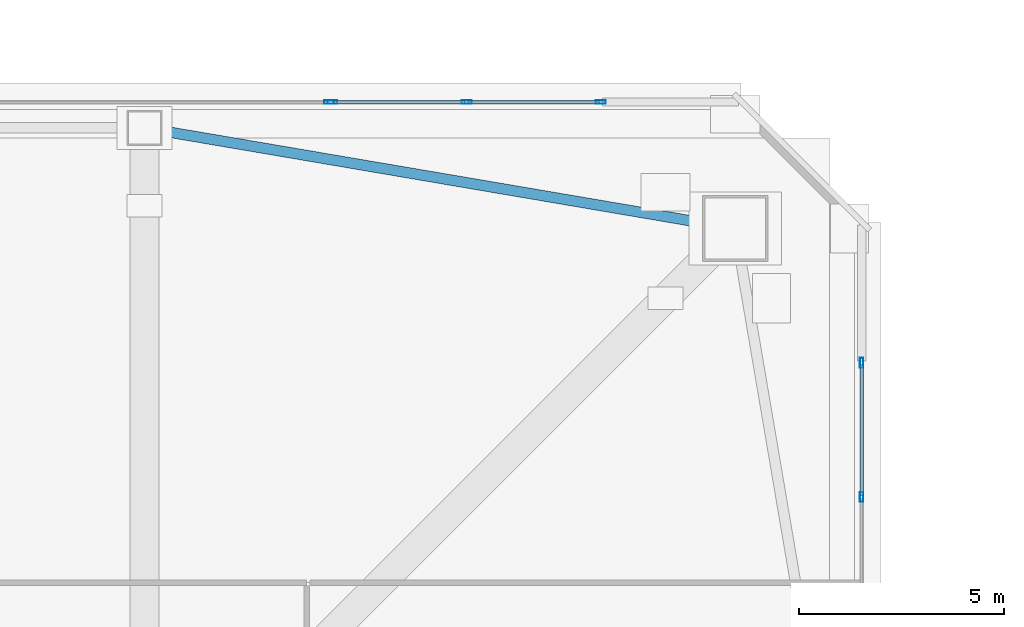
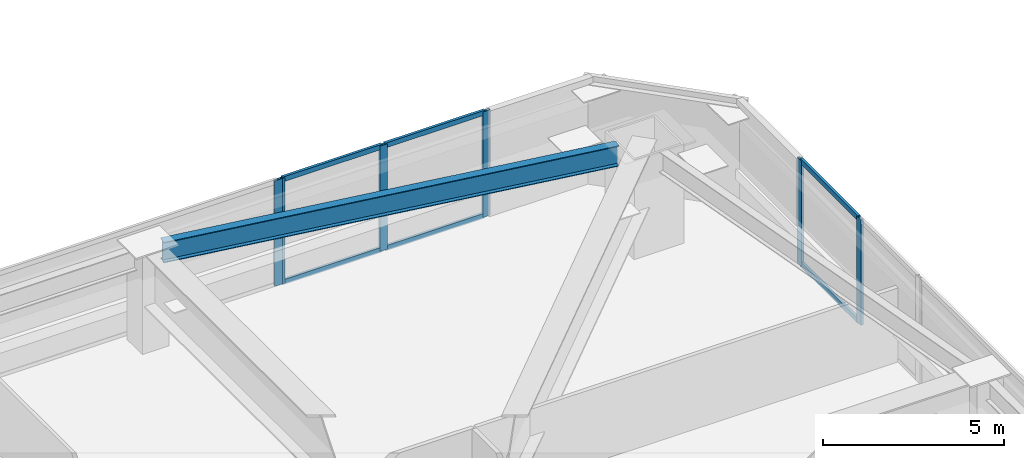
# One storey, part 19 of 48: 12 members, 1 beam, 3 elements without a shape of their own.
"""IFC4 building model written with IfcOpenShell, lengths in metres."""

from ifc_helpers import new_model, si_unit, direction, frame, origin, origin_2d, place, context, subcontext, project, spatial, hollow_rectangle, i_section, extrude, material, material_profile, profile_set, type_object, element, aggregate, save


model = new_model("IFC4")

# Units and contexts
model_context = context("Model", 3, precision=1e-05, world=origin(), true_north=direction((0.0, 1.0)))
body_context = subcontext(model_context, "Body", "Model", "MODEL_VIEW")
ifc_project = project(units=[si_unit("LENGTHUNIT", "METRE"), si_unit("AREAUNIT", "SQUARE_METRE"), si_unit("VOLUMEUNIT", "CUBIC_METRE"), si_unit("PLANEANGLEUNIT", "RADIAN"), si_unit("MASSUNIT", "GRAM", prefix="KILO")], contexts=[model_context])

# Site, building, storey
site_placement = place(None, origin())
site = spatial("IfcSite", under=ifc_project, at=site_placement, CompositionType="ELEMENT")
building_placement = place(site_placement, origin())
building = spatial("IfcBuilding", under=site, at=building_placement, Name="Tashvorn Skyway Center", CompositionType="ELEMENT")
storey_placement = place(building_placement, frame((0.0, 0.0, 63.64990234375)))
storey = spatial("IfcBuildingStorey", under=building, at=storey_placement, Name="L16", CompositionType="ELEMENT", Elevation=63.64990234375)

# Beam
ifc_material_1 = material(Name="Steel ASTM A992 Grade 50", Category="steel")
ifc_material_profile_1 = material_profile(ifc_material_1, i_section(OverallWidth=0.256103515625, OverallDepth=0.693115234375, WebThickness=0.014404296875, FlangeThickness=0.023681640625, at=origin_2d()), Name="W27X114")
ifc_profile_set_1 = profile_set([ifc_material_profile_1], Name="Steel ASTM A992 Grade 50")
beam_type = type_object("IfcBeamType", Name="BM-SPANDREL-W27X114", PredefinedType="SPANDREL", material=ifc_profile_set_1)
beam_placement = place(storey_placement, frame((61.016357421875, 51.933349609375, 3.003662109375), z_axis=(-0.985835025551, 0.16771792509, 0.0), x_axis=(-0.16771792509, -0.985835025551, 0.0)))
element("IfcBeam", 1, at=beam_placement, inside=storey, type_object=beam_type, Name="Tower 1 L16 Spandrel Beam 07", PredefinedType="SPANDREL", context=body_context, shape_type="SweptSolid", body=[
    extrude(i_section(OverallWidth=0.256103515625, OverallDepth=0.693115234375, WebThickness=0.014404296875, FlangeThickness=0.023681640625, at=origin_2d()), origin(), (0.0, 0.0, 1.0), 13.39208984375),
])

# Curtain wall, member
ifc_material_2 = material(Name="Thermally broken bronze-anodized aluminium 6063-T6", Category="aluminium")
curtain_wall_type = type_object("IfcCurtainWallType", Name="CW-CW-Z1", PredefinedType="NOTDEFINED", material=ifc_material_2)
curtain_wall_1_placement = place(storey_placement, origin())
curtain_wall_1 = element("IfcCurtainWall", 2, at=curtain_wall_1_placement, inside=storey, type_object=curtain_wall_type, Name="Tower 1 L16 North Unitised Curtain Wall Glazing Group 2", PredefinedType="NOTDEFINED")
ifc_material_profile_2 = material_profile(ifc_material_2, hollow_rectangle(XDim=0.0849609375, YDim=0.239990234375, WallThickness=0.0048828125, at=origin_2d()), Name="ALU-MULL-85x240")
ifc_profile_set_2 = profile_set([ifc_material_profile_2], Name="Thermally broken bronze-anodized aluminium 6063-T6")
member_type_1 = type_object("IfcMemberType", Name="CWM-CW-Z1", PredefinedType="MULLION", material=ifc_profile_set_2)
member_1_placement = place(storey_placement, frame((51.8974609375, 54.8798828125, 0.0), z_axis=(0.0, 0.0, 1.0), x_axis=(0.0, 1.0, 0.0)))
member_1 = element("IfcMember", 3, at=member_1_placement, type_object=member_type_1, Name="CW-Z1 mullion 3", PredefinedType="MULLION", context=body_context, shape_type="SweptSolid", body=[
    extrude(hollow_rectangle(XDim=0.0849609375, YDim=0.239990234375, WallThickness=0.0048828125, at=origin_2d()), origin(), (0.0, 0.0, 1.0), 3.550048828125),
])
aggregate(curtain_wall_1, [member_1])

# Curtain wall, members
curtain_wall_2_placement = place(storey_placement, origin())
curtain_wall_2 = element("IfcCurtainWall", 4, at=curtain_wall_2_placement, inside=storey, type_object=curtain_wall_type, Name="Tower 1 L16 North Unitised Curtain Wall Glazing Group 3", PredefinedType="NOTDEFINED")
member_2_placement = place(storey_placement, frame((51.982421875, 54.8798828125, 0.0), z_axis=(0.0, 0.0, 1.0), x_axis=(0.0, 1.0, 0.0)))
member_2 = element("IfcMember", 5, at=member_2_placement, type_object=member_type_1, Name="CW-Z1 mullion 1", PredefinedType="MULLION", context=body_context, shape_type="SweptSolid", body=[
    extrude(hollow_rectangle(XDim=0.0849609375, YDim=0.239990234375, WallThickness=0.0048828125, at=origin_2d()), origin(), (0.0, 0.0, 1.0), 3.550048828125),
])
member_3_placement = place(storey_placement, frame((55.25341796875, 54.8798828125, 0.0), z_axis=(0.0, 0.0, 1.0), x_axis=(0.0, 1.0, 0.0)))
member_3 = element("IfcMember", 6, at=member_3_placement, type_object=member_type_1, Name="CW-Z1 mullion 2", PredefinedType="MULLION", context=body_context, shape_type="SweptSolid", body=[
    extrude(hollow_rectangle(XDim=0.0849609375, YDim=0.239990234375, WallThickness=0.0048828125, at=origin_2d()), origin(), (0.0, 0.0, 1.0), 3.550048828125),
])
member_4_placement = place(storey_placement, frame((58.524169921875, 54.8798828125, 0.0), z_axis=(0.0, 0.0, 1.0), x_axis=(0.0, 1.0, 0.0)))
member_4 = element("IfcMember", 7, at=member_4_placement, type_object=member_type_1, Name="CW-Z1 mullion 3", PredefinedType="MULLION", context=body_context, shape_type="SweptSolid", body=[
    extrude(hollow_rectangle(XDim=0.0849609375, YDim=0.239990234375, WallThickness=0.0048828125, at=origin_2d()), origin(), (0.0, 0.0, 1.0), 3.550048828125),
])

curtain_wall_3_placement = place(storey_placement, origin())
curtain_wall_3 = element("IfcCurtainWall", 8, at=curtain_wall_3_placement, inside=storey, type_object=curtain_wall_type, Name="Tower 1 L16 East Unitised Curtain Wall Glazing Group 1", PredefinedType="NOTDEFINED")
member_5_placement = place(storey_placement, frame((64.8798828125, 48.524169921875, 0.0), z_axis=(0.0, 0.0, 1.0), x_axis=(1.0, 0.0, 0.0)))
member_5 = element("IfcMember", 9, at=member_5_placement, type_object=member_type_1, Name="CW-Z1 mullion 1", PredefinedType="MULLION", context=body_context, shape_type="SweptSolid", body=[
    extrude(hollow_rectangle(XDim=0.0849609375, YDim=0.239990234375, WallThickness=0.0048828125, at=origin_2d()), origin(), (0.0, 0.0, 1.0), 3.550048828125),
])
member_6_placement = place(storey_placement, frame((64.8798828125, 45.25341796875, 0.0), z_axis=(0.0, 0.0, 1.0), x_axis=(1.0, 0.0, 0.0)))
member_6 = element("IfcMember", 10, at=member_6_placement, type_object=member_type_1, Name="CW-Z1 mullion 2", PredefinedType="MULLION", context=body_context, shape_type="SweptSolid", body=[
    extrude(hollow_rectangle(XDim=0.0849609375, YDim=0.239990234375, WallThickness=0.0048828125, at=origin_2d()), origin(), (0.0, 0.0, 1.0), 3.550048828125),
])

# Member
ifc_material_profile_3 = material_profile(ifc_material_2, hollow_rectangle(XDim=0.0849609375, YDim=0.1650390625, WallThickness=0.0048828125, at=origin_2d()), Name="ALU-TRAN-85x165")
ifc_profile_set_3 = profile_set([ifc_material_profile_3], Name="Thermally broken bronze-anodized aluminium 6063-T6")
member_type_2 = type_object("IfcMemberType", Name="CWT-CW-Z1", PredefinedType="USERDEFINED", material=ifc_profile_set_3)
member_7_placement = place(storey_placement, frame((52.02490234375, 54.8798828125, 0.04248046875), z_axis=(1.0, 0.0, 0.0), x_axis=(0.0, 1.0, 0.0)))
member_7 = element("IfcMember", 11, at=member_7_placement, type_object=member_type_2, Name="CW-Z1 transom 1.1", ObjectType="TRANSOM", PredefinedType="USERDEFINED", context=body_context, shape_type="SweptSolid", body=[
    extrude(hollow_rectangle(XDim=0.0849609375, YDim=0.1650390625, WallThickness=0.0048828125, at=origin_2d()), origin(), (0.0, 0.0, 1.0), 3.18603515625),
])

member_8_placement = place(storey_placement, frame((52.02490234375, 54.8798828125, 3.507568359375), z_axis=(1.0, 0.0, 0.0), x_axis=(0.0, 1.0, 0.0)))
member_8 = element("IfcMember", 12, at=member_8_placement, type_object=member_type_2, Name="CW-Z1 transom 1.2", ObjectType="TRANSOM", PredefinedType="USERDEFINED", context=body_context, shape_type="SweptSolid", body=[
    extrude(hollow_rectangle(XDim=0.0849609375, YDim=0.1650390625, WallThickness=0.0048828125, at=origin_2d()), origin(), (0.0, 0.0, 1.0), 3.18603515625),
])

member_9_placement = place(storey_placement, frame((55.2958984375, 54.8798828125, 0.04248046875), z_axis=(1.0, 0.0, 0.0), x_axis=(0.0, 1.0, 0.0)))
member_9 = element("IfcMember", 13, at=member_9_placement, type_object=member_type_2, Name="CW-Z1 transom 2.1", ObjectType="TRANSOM", PredefinedType="USERDEFINED", context=body_context, shape_type="SweptSolid", body=[
    extrude(hollow_rectangle(XDim=0.0849609375, YDim=0.1650390625, WallThickness=0.0048828125, at=origin_2d()), origin(), (0.0, 0.0, 1.0), 3.185791015625),
])

member_10_placement = place(storey_placement, frame((55.2958984375, 54.8798828125, 3.507568359375), z_axis=(1.0, 0.0, 0.0), x_axis=(0.0, 1.0, 0.0)))
member_10 = element("IfcMember", 14, at=member_10_placement, type_object=member_type_2, Name="CW-Z1 transom 2.2", ObjectType="TRANSOM", PredefinedType="USERDEFINED", context=body_context, shape_type="SweptSolid", body=[
    extrude(hollow_rectangle(XDim=0.0849609375, YDim=0.1650390625, WallThickness=0.0048828125, at=origin_2d()), origin(), (0.0, 0.0, 1.0), 3.185791015625),
])

aggregate(curtain_wall_2, [member_2, member_3, member_4, member_7, member_8, member_9, member_10])

member_11_placement = place(storey_placement, frame((64.8798828125, 48.481689453125, 0.04248046875), z_axis=(0.0, -1.0, 0.0), x_axis=(1.0, 0.0, 0.0)))
member_11 = element("IfcMember", 15, at=member_11_placement, type_object=member_type_2, Name="CW-Z1 transom 1.1", ObjectType="TRANSOM", PredefinedType="USERDEFINED", context=body_context, shape_type="SweptSolid", body=[
    extrude(hollow_rectangle(XDim=0.0849609375, YDim=0.1650390625, WallThickness=0.0048828125, at=origin_2d()), origin(), (0.0, 0.0, 1.0), 3.185791015625),
])

member_12_placement = place(storey_placement, frame((64.8798828125, 48.481689453125, 3.507568359375), z_axis=(0.0, -1.0, 0.0), x_axis=(1.0, 0.0, 0.0)))
member_12 = element("IfcMember", 16, at=member_12_placement, type_object=member_type_2, Name="CW-Z1 transom 1.2", ObjectType="TRANSOM", PredefinedType="USERDEFINED", context=body_context, shape_type="SweptSolid", body=[
    extrude(hollow_rectangle(XDim=0.0849609375, YDim=0.1650390625, WallThickness=0.0048828125, at=origin_2d()), origin(), (0.0, 0.0, 1.0), 3.185791015625),
])

aggregate(curtain_wall_3, [member_5, member_6, member_11, member_12])

save(model, "model.ifc")
